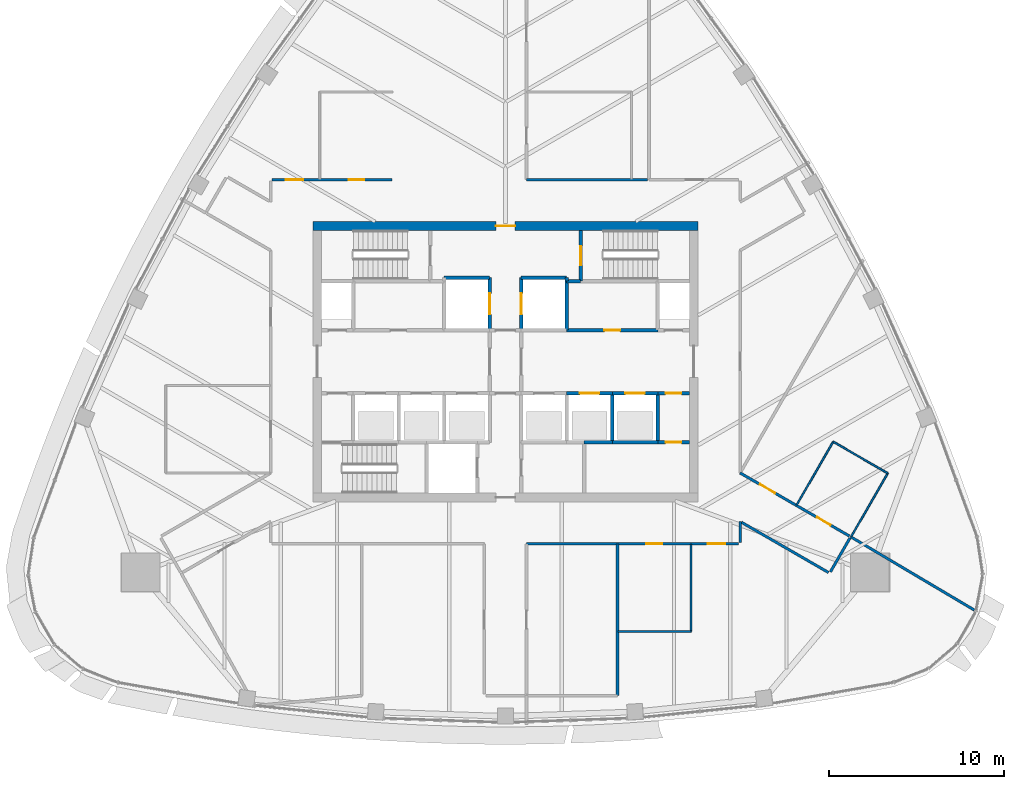
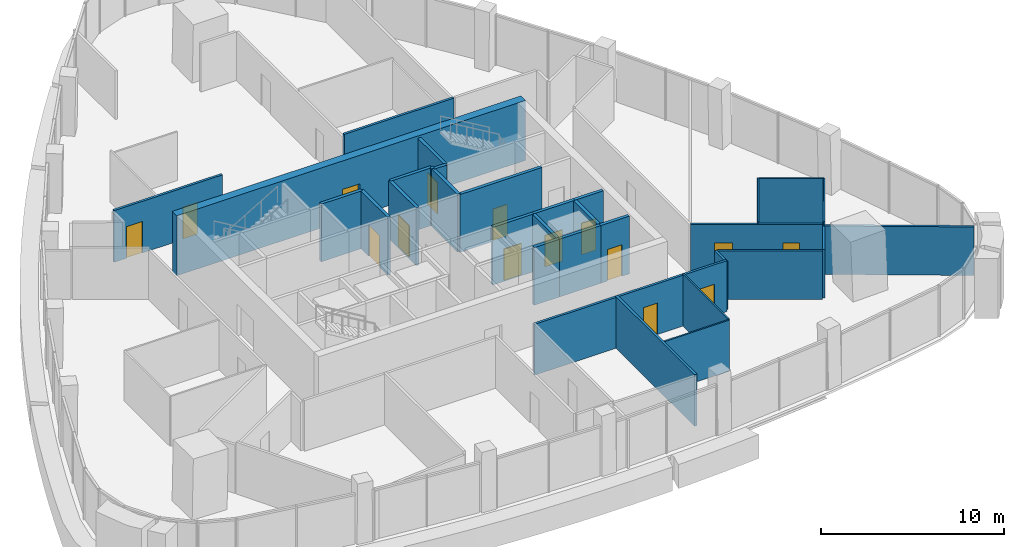
# One storey, part 10 of 15: 32 walls, 15 doors, 15 openings.
"""IFC4 building model written with IfcOpenShell, lengths in metres."""

import ifcopenshell
import ifcopenshell.guid

model = None  # the IFC model being written
_history = None  # IfcOwnerHistory: only IFC2X3 demands one
_inside = {}  # id of a spatial element -> (the spatial element, [elements in it])
_under = {}  # id of a project, library or spatial element -> (it, [spatial elements below it])
_declared = {}  # id of a project -> (the project, [libraries it declares])
_typed = {}  # id of a type object -> (the type object, [elements of that type])
_made_of = {}  # id of a material, layer set ... -> (it, [elements and type objects made of it])


def new_model(schema):
    """Start an empty IFC model of exactly this schema.

    Asked for "IFC4X3", IfcOpenShell would pick the latest addendum, in which some entities
    have other attributes; the version numbers below select the first issue.
    IFC2X3 requires an IfcOwnerHistory on every rooted entity: one is made here for all.
    """
    global model, _history
    if schema == "IFC4X3":
        model = ifcopenshell.file(schema_version=(4, 3, 0, 0))
    else:
        model = ifcopenshell.file(schema=schema)
    _inside.clear()
    _under.clear()
    _declared.clear()
    _typed.clear()
    _made_of.clear()
    _history = None
    if model.schema == "IFC2X3":
        org = make("IfcOrganization", Name="unknown")
        user = make(
            "IfcPersonAndOrganization",
            ThePerson=make("IfcPerson", FamilyName="unknown"),
            TheOrganization=org,
        )
        app = make(
            "IfcApplication",
            ApplicationDeveloper=org,
            Version="unknown",
            ApplicationFullName="unknown",
            ApplicationIdentifier="unknown",
        )
        _history = make(
            "IfcOwnerHistory",
            OwningUser=user,
            OwningApplication=app,
            ChangeAction="ADDED",
            CreationDate=0,
        )
    return model


def make(cls, **values):
    """One entity of the class cls with the attributes given. An attribute that is None is left unset."""
    return model.create_entity(
        cls, **{name: value for name, value in values.items() if value is not None}
    )


def rooted(cls, **values):
    """An entity with a GlobalId (a new one), such as an element, a storey or a relation."""
    return make(cls, GlobalId=ifcopenshell.guid.new(), OwnerHistory=_history, **values)


def si_unit(unit_type, name, prefix=None):
    """IfcSIUnit, for example si_unit("LENGTHUNIT", "METRE", prefix="MILLI")."""
    return make("IfcSIUnit", UnitType=unit_type, Prefix=prefix, Name=name)


def assignment(units):
    """IfcUnitAssignment: the units of a project."""
    return None if units is None else make("IfcUnitAssignment", Units=units)


def point(xyz):
    """IfcCartesianPoint."""
    return None if xyz is None else make("IfcCartesianPoint", Coordinates=xyz)


def direction(xyz):
    """IfcDirection."""
    return None if xyz is None else make("IfcDirection", DirectionRatios=xyz)


def frame(location, z_axis=None, x_axis=None):
    """IfcAxis2Placement3D, a coordinate frame: its origin and axes. An axis left out is left unset."""
    return make(
        "IfcAxis2Placement3D",
        Location=point(location),
        Axis=direction(z_axis),
        RefDirection=direction(x_axis),
    )


def frame_2d(location, x_axis=None):
    """IfcAxis2Placement2D, a coordinate frame in the plane: its origin and x axis."""
    return make(
        "IfcAxis2Placement2D", Location=point(location), RefDirection=direction(x_axis)
    )


def origin():
    """The frame at (0, 0, 0) with its axes left unset."""
    return frame((0.0, 0.0, 0.0))


def place(relative_to, where):
    """IfcLocalPlacement: puts the frame where relative to a parent placement (None: the world)."""
    return make(
        "IfcLocalPlacement", PlacementRelTo=relative_to, RelativePlacement=where
    )


def context(
    kind, dimensions, precision=None, world=None, true_north=None, identifier=None
):
    """IfcGeometricRepresentationContext, for example the 3D "Model" context."""
    return make(
        "IfcGeometricRepresentationContext",
        ContextIdentifier=identifier,
        ContextType=kind,
        CoordinateSpaceDimension=dimensions,
        Precision=precision,
        WorldCoordinateSystem=world,
        TrueNorth=true_north,
    )


def subcontext(parent, identifier, kind, view, scale=None):
    """IfcGeometricRepresentationSubContext, for example "Body" below "Model"."""
    return make(
        "IfcGeometricRepresentationSubContext",
        ContextIdentifier=identifier,
        ContextType=kind,
        ParentContext=parent,
        TargetScale=scale,
        TargetView=view,
    )


def project(units=None, contexts=None):
    """IfcProject with its units and contexts."""
    return rooted(
        "IfcProject",
        Name="project",
        RepresentationContexts=contexts,
        UnitsInContext=assignment(units),
    )


def spatial(cls, under=None, at=None, **own):
    """A site, building, storey or space (cls), placed at a placement, below another one or the project."""
    s = rooted(cls, ObjectPlacement=at, **own)
    if under is not None:
        _under.setdefault(under.id(), (under, []))[1].append(s)
    return s


def profile(cls, at=None, kind="AREA", **sizes):
    """A parametric profile (cls). Its sizes go by their IFC names, for example OverallWidth=200.0."""
    return make(cls, ProfileType=kind, Position=at, **sizes)


def rectangle(**sizes):
    """IfcRectangleProfileDef."""
    return profile("IfcRectangleProfileDef", **sizes)


def extrude(swept, where, along, depth):
    """IfcExtrudedAreaSolid: the profile swept, set in the frame where, extruded along a direction by depth."""
    return make(
        "IfcExtrudedAreaSolid",
        SweptArea=swept,
        Position=where,
        ExtrudedDirection=direction(along),
        Depth=depth,
    )


def shape(context_of_items, identifier, shape_type, items):
    """IfcShapeRepresentation: the items that make up one representation, for example the "Body"."""
    return make(
        "IfcShapeRepresentation",
        ContextOfItems=context_of_items,
        RepresentationIdentifier=identifier,
        RepresentationType=shape_type,
        Items=items,
    )


def material(Name=None, Category=None):
    """IfcMaterial."""
    return make("IfcMaterial", Name=Name, Category=Category)


def layer(
    of_material, thickness, ventilated=None, Name=None, Category=None, Priority=None
):
    """IfcMaterialLayer: one layer of a wall or slab, of a material (None: an air gap)."""
    return make(
        "IfcMaterialLayer",
        Material=of_material,
        LayerThickness=thickness,
        IsVentilated=ventilated,
        Name=Name,
        Category=Category,
        Priority=Priority,
    )


def layer_set(layers, Name=None):
    """IfcMaterialLayerSet."""
    return make("IfcMaterialLayerSet", MaterialLayers=layers, LayerSetName=Name)


def made_of(thing, what):
    """Note that an element or type object is made of a material, layer set ...; save() writes the relation."""
    if what is not None:
        _made_of.setdefault(what.id(), (what, []))[1].append(thing)
    return thing


def type_object(cls, material=None, **own):
    """A type object (cls), such as IfcWallType, which elements share."""
    return made_of(rooted(cls, **own), material)


def element(
    cls,
    number,
    at=None,
    inside=None,
    cuts=None,
    type_object=None,
    material=None,
    context=None,
    identifier="Body",
    shape_type=None,
    held_by="IfcProductDefinitionShape",
    body=None,
    shapes=None,
    **own,
):
    """One element of the class cls, such as IfcWall. Its Tag is "e" and its number.

    at: its placement. inside: the storey or other place that contains it. cuts: it is an
    opening in that element (IfcRelVoidsElement). A single representation is given by context,
    identifier, shape_type and body (its items); several are given by shapes. held_by: the class
    of the entity that holds the representations. save() writes the other relations.
    """
    e = rooted(cls, Tag="e%d" % number, ObjectPlacement=at, **own)
    if body is not None:
        shapes = [shape(context, identifier, shape_type, body)]
    if shapes is not None:
        e.Representation = make(held_by, Representations=shapes)
    if inside is not None:
        _inside.setdefault(inside.id(), (inside, []))[1].append(e)
    if cuts is not None:
        rooted(
            "IfcRelVoidsElement", RelatingBuildingElement=cuts, RelatedOpeningElement=e
        )
    if type_object is not None:
        _typed.setdefault(type_object.id(), (type_object, []))[1].append(e)
    return made_of(e, material)


def fill(opening, filler):
    """IfcRelFillsElement: the door or window that sits in an opening."""
    return rooted(
        "IfcRelFillsElement",
        RelatingOpeningElement=opening,
        RelatedBuildingElement=filler,
    )


def aggregate(whole, parts):
    """IfcRelAggregates: a whole, such as a stair, and the parts it consists of."""
    return rooted("IfcRelAggregates", RelatingObject=whole, RelatedObjects=parts)


def save(model, path):
    """Write the relations noted so far, then the file.

    IfcRelAggregates (storeys below a building ...), IfcRelContainedInSpatialStructure (elements
    in a storey), IfcRelDefinesByType, IfcRelAssociatesMaterial and IfcRelDeclares: one each for
    every whole, place, type object, material and project.
    """
    for whole, parts in _under.values():
        aggregate(whole, parts)
    for where, things in _inside.values():
        rooted(
            "IfcRelContainedInSpatialStructure",
            RelatedElements=things,
            RelatingStructure=where,
        )
    for kind, things in _typed.values():
        rooted("IfcRelDefinesByType", RelatedObjects=things, RelatingType=kind)
    for what, things in _made_of.values():
        rooted("IfcRelAssociatesMaterial", RelatedObjects=things, RelatingMaterial=what)
    for by, libraries in _declared.values():
        rooted("IfcRelDeclares", RelatingContext=by, RelatedDefinitions=libraries)
    model.write(path)


model = new_model("IFC4")

# Units and contexts
model_context = context("Model", 3, precision=1e-05, world=origin(), true_north=direction((0.0, 1.0)))
body_context = subcontext(model_context, "Body", "Model", "MODEL_VIEW")
ifc_project = project(units=[si_unit("LENGTHUNIT", "METRE"), si_unit("AREAUNIT", "SQUARE_METRE"), si_unit("VOLUMEUNIT", "CUBIC_METRE"), si_unit("PLANEANGLEUNIT", "RADIAN"), si_unit("MASSUNIT", "GRAM", prefix="KILO")], contexts=[model_context])

# Site, building, storey
site_placement = place(None, origin())
site = spatial("IfcSite", under=ifc_project, at=site_placement, CompositionType="ELEMENT")
building_placement = place(site_placement, origin())
building = spatial("IfcBuilding", under=site, at=building_placement, Name="Sierra Prisma Convention Tower", CompositionType="ELEMENT")
storey_placement = place(building_placement, frame((0.0, 0.0, 283.0)))
storey = spatial("IfcBuildingStorey", under=building, at=storey_placement, Name="L64", CompositionType="ELEMENT", Elevation=283.0)

# Walls
ifc_material_1 = material(Name="Gypsum board partition", Category="gypsum")
ifc_layer_1 = layer(ifc_material_1, 0.10009765625)
ifc_layer_set_1 = layer_set([ifc_layer_1], Name="Bathroom partition 100")
wall_type_1 = type_object("IfcWallType", Name="Bathroom partition 100", PredefinedType="PARTITIONING", material=ifc_layer_set_1)
wall_1_placement = place(storey_placement, frame((10.60009765625, -10.429931640625, 0.0), z_axis=(0.0, 0.0, 1.0), x_axis=(0.0, -1.0, 0.0)))
element("IfcWall", 1, at=wall_1_placement, inside=storey, type_object=wall_type_1, Name="Partition L64 bath 8", PredefinedType="PARTITIONING", context=body_context, shape_type="SweptSolid", body=[
    extrude(rectangle(XDim=4.969970703125, YDim=0.10009765625, at=frame_2d((2.48486328125, 0.0))), origin(), (0.0, 0.0, 1.0), 3.449951171875),
])
wall_2_placement = place(storey_placement, frame((10.60009765625, -15.39990234375, 0.0), z_axis=(0.0, 0.0, 1.0), x_axis=(-1.0, 0.0, 0.0)))
element("IfcWall", 2, at=wall_2_placement, inside=storey, type_object=wall_type_1, Name="Partition L64 bath 9", PredefinedType="PARTITIONING", context=body_context, shape_type="SweptSolid", body=[
    extrude(rectangle(XDim=4.170166015625, YDim=0.10009765625, at=frame_2d((2.0849609375, 0.0))), origin(), (0.0, 0.0, 1.0), 3.39306640625),
])
wall_3_placement = place(storey_placement, frame((16.626953125, -8.17919921875, 0.0), z_axis=(0.0, 0.0, 1.0), x_axis=(0.499992746786, 0.866029591389, 0.0)))
element("IfcWall", 3, at=wall_3_placement, inside=storey, type_object=wall_type_1, Name="Partition L64 bath 10", PredefinedType="PARTITIONING", context=body_context, shape_type="SweptSolid", body=[
    extrude(rectangle(XDim=4.169921875, YDim=0.10009765625, at=frame_2d((2.0849609375, 0.0))), origin(), (0.0, 0.0, 1.0), 3.449951171875),
])
wall_4_placement = place(storey_placement, frame((18.7119140625, -4.56787109375, 0.0), z_axis=(0.0, 0.0, 1.0), x_axis=(0.866018442252, -0.500012057535, 0.0)))
element("IfcWall", 4, at=wall_4_placement, inside=storey, type_object=wall_type_1, Name="Partition L64 bath 11", PredefinedType="PARTITIONING", context=body_context, shape_type="SweptSolid", body=[
    extrude(rectangle(XDim=3.60009765625, YDim=0.10009765625, at=frame_2d((1.800048828125, 0.0))), origin(), (0.0, 0.0, 1.0), 3.443115234375),
])
wall_5_placement = place(storey_placement, frame((21.82958984375, -6.367919921875, 0.0), z_axis=(0.0, 0.0, 1.0), x_axis=(-0.499992746786, -0.866029591389, 0.0)))
element("IfcWall", 5, at=wall_5_placement, inside=storey, type_object=wall_type_1, Name="Partition L64 bath 12", PredefinedType="PARTITIONING", context=body_context, shape_type="SweptSolid", body=[
    extrude(rectangle(XDim=4.169921875, YDim=0.10009765625, at=frame_2d((2.0849609375, 0.0))), origin(), (0.0, 0.0, 1.0), 3.449951171875),
])

# Wall, opening, door
ifc_material_2 = material(Name="Concrete C30/37", Category="concrete")
ifc_layer_2 = layer(ifc_material_2, 0.199951171875)
ifc_layer_set_2 = layer_set([ifc_layer_2], Name="Core wall RC 200 C30/37")
wall_type_2 = type_object("IfcWallType", Name="Core wall RC 200 C30/37", PredefinedType="SOLIDWALL", material=ifc_layer_set_2)
wall_6_placement = place(storey_placement, frame((-0.89990234375, 1.800048828125, 0.0), z_axis=(0.0, 0.0, 1.0), x_axis=(0.0, 1.0, 0.0)))
wall_6 = element("IfcWall", 6, at=wall_6_placement, inside=storey, type_object=wall_type_2, Name="Core wall L64 23", PredefinedType="SOLIDWALL", context=body_context, shape_type="SweptSolid", body=[
    extrude(rectangle(XDim=3.0, YDim=0.199951171875, at=frame_2d((1.5, 0.0))), origin(), (0.0, 0.0, 1.0), 3.85009765625),
])
opening_1_placement = place(wall_6_placement, frame((0.89990234375, 0.0, 0.0)))
opening_1 = element("IfcOpeningElement", 7, at=opening_1_placement, cuts=wall_6, Name="Opening L64-D007", PredefinedType="OPENING", context=body_context, shape_type="SweptSolid", body=[
    extrude(rectangle(XDim=1.199951171875, YDim=2.10009765625, at=frame_2d((0.60009765625, 1.050048828125))), frame((0.0, 0.10009765625, 0.0), z_axis=(0.0, -1.0, 0.0), x_axis=(1.0, 0.0, 0.0)), (0.0, 0.0, 1.0), 0.199951171875),
])
ifc_material_3 = material(Name="Steel fire door leaf", Category="steel")
door_type_1 = type_object("IfcDoorType", Name="Door 1200x2100 EI 90 sliding lift landing", OperationType="SLIDING_TO_LEFT", PredefinedType="DOOR", material=ifc_material_3)
door_1_placement = place(opening_1_placement, origin())
door_1 = element("IfcDoor", 8, at=door_1_placement, inside=storey, type_object=door_type_1, Name="Door L64 22", OperationType="SLIDING_TO_LEFT", OverallHeight=2.10009765625, OverallWidth=1.199951171875, PredefinedType="DOOR", context=body_context, shape_type="SweptSolid", body=[
    extrude(rectangle(XDim=1.199951171875, YDim=2.10009765625, at=frame_2d((0.60009765625, 1.050048828125))), frame((0.0, 0.02490234375, 0.0), z_axis=(0.0, -1.0, 0.0), x_axis=(1.0, 0.0, 0.0)), (0.0, 0.0, 1.0), 0.050048828125),
])
fill(opening_1, door_1)

# Walls
wall_7_placement = place(storey_placement, frame((-0.89990234375, 4.800048828125, 0.0), z_axis=(0.0, 0.0, 1.0), x_axis=(-1.0, 0.0, 0.0)))
element("IfcWall", 9, at=wall_7_placement, inside=storey, type_object=wall_type_2, Name="Core wall L64 24", PredefinedType="SOLIDWALL", context=body_context, shape_type="SweptSolid", body=[
    extrude(rectangle(XDim=2.60009765625, YDim=0.199951171875, at=frame_2d((1.300048828125, 0.0))), origin(), (0.0, 0.0, 1.0), 3.85009765625),
])
wall_8_placement = place(storey_placement, frame((3.5, 4.60009765625, 0.0), z_axis=(0.0, 0.0, 1.0), x_axis=(0.0, 1.0, 0.0)))
element("IfcWall", 10, at=wall_8_placement, inside=storey, type_object=wall_type_2, Name="Core wall L64 38", PredefinedType="SOLIDWALL", context=body_context, shape_type="SweptSolid", body=[
    extrude(rectangle(XDim=0.199951171875, YDim=0.199951171875, at=frame_2d((0.10009765625, 0.0))), origin(), (0.0, 0.0, 1.0), 3.85009765625),
])
wall_9_placement = place(storey_placement, frame((3.5, 4.800048828125, 0.0), z_axis=(0.0, 0.0, 1.0), x_axis=(-1.0, 0.0, 0.0)))
element("IfcWall", 11, at=wall_9_placement, inside=storey, type_object=wall_type_2, Name="Core wall L64 39", PredefinedType="SOLIDWALL", context=body_context, shape_type="SweptSolid", body=[
    extrude(rectangle(XDim=2.60009765625, YDim=0.199951171875, at=frame_2d((1.300048828125, 0.0))), origin(), (0.0, 0.0, 1.0), 3.85009765625),
])

# Wall, opening, door
wall_10_placement = place(storey_placement, frame((0.89990234375, 4.800048828125, 0.0), z_axis=(0.0, 0.0, 1.0), x_axis=(0.0, -1.0, 0.0)))
wall_10 = element("IfcWall", 12, at=wall_10_placement, inside=storey, type_object=wall_type_2, Name="Core wall L64 40", PredefinedType="SOLIDWALL", context=body_context, shape_type="SweptSolid", body=[
    extrude(rectangle(XDim=3.0, YDim=0.199951171875, at=frame_2d((1.5, 0.0))), origin(), (0.0, 0.0, 1.0), 3.85009765625),
])
opening_2_placement = place(wall_10_placement, frame((0.89990234375, 0.0, 0.0)))
opening_2 = element("IfcOpeningElement", 13, at=opening_2_placement, cuts=wall_10, Name="Opening L64-D008", PredefinedType="OPENING", context=body_context, shape_type="SweptSolid", body=[
    extrude(rectangle(XDim=1.199951171875, YDim=2.10009765625, at=frame_2d((0.60009765625, 1.050048828125))), frame((0.0, 0.10009765625, 0.0), z_axis=(0.0, -1.0, 0.0), x_axis=(1.0, 0.0, 0.0)), (0.0, 0.0, 1.0), 0.199951171875),
])
door_2_placement = place(opening_2_placement, origin())
door_2 = element("IfcDoor", 14, at=door_2_placement, inside=storey, type_object=door_type_1, Name="Door L64 23", OperationType="SLIDING_TO_RIGHT", OverallHeight=2.10009765625, OverallWidth=1.199951171875, PredefinedType="DOOR", context=body_context, shape_type="SweptSolid", body=[
    extrude(rectangle(XDim=1.199951171875, YDim=2.10009765625, at=frame_2d((0.60009765625, 1.050048828125))), frame((0.0, 0.02490234375, 0.0), z_axis=(0.0, -1.0, 0.0), x_axis=(1.0, 0.0, 0.0)), (0.0, 0.0, 1.0), 0.050048828125),
])
fill(opening_2, door_2)

wall_11_placement = place(storey_placement, frame((3.5, -1.800048828125, 0.0), z_axis=(0.0, 0.0, 1.0), x_axis=(1.0, 0.0, 0.0)))
wall_11 = element("IfcWall", 15, at=wall_11_placement, inside=storey, type_object=wall_type_2, Name="Core wall L64 43", PredefinedType="SOLIDWALL", context=body_context, shape_type="SweptSolid", body=[
    extrude(rectangle(XDim=2.60009765625, YDim=0.199951171875, at=frame_2d((1.300048828125, 0.0))), origin(), (0.0, 0.0, 1.0), 3.85009765625),
])
opening_3_placement = place(wall_11_placement, frame((0.75, 0.0, 0.0)))
opening_3 = element("IfcOpeningElement", 16, at=opening_3_placement, cuts=wall_11, Name="Opening L64-D005", PredefinedType="OPENING", context=body_context, shape_type="SweptSolid", body=[
    extrude(rectangle(XDim=1.10009765625, YDim=2.10009765625, at=frame_2d((0.550048828125, 1.050048828125))), frame((0.0, 0.10009765625, 0.0), z_axis=(0.0, -1.0, 0.0), x_axis=(1.0, 0.0, 0.0)), (0.0, 0.0, 1.0), 0.199951171875),
])
ifc_material_4 = material(Name="Steel fire door leaf", Category="steel")
door_type_2 = type_object("IfcDoorType", Name="Door 1100x2100 EI 90 sliding lift landing", OperationType="SLIDING_TO_LEFT", PredefinedType="DOOR", material=ifc_material_4)
door_3_placement = place(opening_3_placement, origin())
door_3 = element("IfcDoor", 17, at=door_3_placement, inside=storey, type_object=door_type_2, Name="Door L64 20", OperationType="SLIDING_TO_RIGHT", OverallHeight=2.10009765625, OverallWidth=1.10009765625, PredefinedType="DOOR", context=body_context, shape_type="SweptSolid", body=[
    extrude(rectangle(XDim=1.10009765625, YDim=2.10009765625, at=frame_2d((0.550048828125, 1.050048828125))), frame((0.0, 0.02490234375, 0.0), z_axis=(0.0, -1.0, 0.0), x_axis=(1.0, 0.0, 0.0)), (0.0, 0.0, 1.0), 0.050048828125),
])
fill(opening_3, door_3)

wall_12_placement = place(storey_placement, frame((3.5, 1.800048828125, 0.0), z_axis=(0.0, 0.0, 1.0), x_axis=(1.0, 0.0, 0.0)))
wall_12 = element("IfcWall", 18, at=wall_12_placement, inside=storey, type_object=wall_type_2, Name="Core wall L64 44", PredefinedType="SOLIDWALL", context=body_context, shape_type="SweptSolid", body=[
    extrude(rectangle(XDim=5.199951171875, YDim=0.199951171875, at=frame_2d((2.60009765625, 0.0))), origin(), (0.0, 0.0, 1.0), 3.85009765625),
])
opening_4_placement = place(wall_12_placement, frame((2.14990234375, 0.0, 0.0)))
opening_4 = element("IfcOpeningElement", 19, at=opening_4_placement, cuts=wall_12, Name="Opening L64-D020", PredefinedType="OPENING", context=body_context, shape_type="SweptSolid", body=[
    extrude(rectangle(XDim=0.89990234375, YDim=2.10009765625, at=frame_2d((0.449951171875, 1.050048828125))), frame((0.0, 0.10009765625, 0.0), z_axis=(0.0, -1.0, 0.0), x_axis=(1.0, 0.0, 0.0)), (0.0, 0.0, 1.0), 0.199951171875),
])
ifc_material_5 = material(Name="Steel fire door leaf", Category="steel")
door_type_3 = type_object("IfcDoorType", Name="Door 900x2100 FD30S", OperationType="SINGLE_SWING_LEFT", PredefinedType="DOOR", material=ifc_material_5)
door_4_placement = place(opening_4_placement, origin())
door_4 = element("IfcDoor", 20, at=door_4_placement, inside=storey, type_object=door_type_3, Name="Door L64 35", OperationType="SINGLE_SWING_RIGHT", OverallHeight=2.10009765625, OverallWidth=0.89990234375, PredefinedType="DOOR", context=body_context, shape_type="SweptSolid", body=[
    extrude(rectangle(XDim=0.89990234375, YDim=2.10009765625, at=frame_2d((0.449951171875, 1.050048828125))), frame((0.0, 0.02490234375, 0.0), z_axis=(0.0, -1.0, 0.0), x_axis=(1.0, 0.0, 0.0)), (0.0, 0.0, 1.0), 0.050048828125),
])
fill(opening_4, door_4)

# Walls
wall_13_placement = place(storey_placement, frame((3.5, 4.60009765625, 0.0), z_axis=(0.0, 0.0, 1.0), x_axis=(0.0, -1.0, 0.0)))
element("IfcWall", 21, at=wall_13_placement, inside=storey, type_object=wall_type_2, Name="Core wall L64 45", PredefinedType="SOLIDWALL", context=body_context, shape_type="SweptSolid", body=[
    extrude(rectangle(XDim=2.800048828125, YDim=0.199951171875, at=frame_2d((1.39990234375, 0.0))), origin(), (0.0, 0.0, 1.0), 3.85009765625),
])
wall_14_placement = place(storey_placement, frame((4.300048828125, 4.60009765625, 0.0), z_axis=(0.0, 0.0, 1.0), x_axis=(-1.0, 0.0, 0.0)))
element("IfcWall", 22, at=wall_14_placement, inside=storey, type_object=wall_type_2, Name="Core wall L64 46", PredefinedType="SOLIDWALL", context=body_context, shape_type="SweptSolid", body=[
    extrude(rectangle(XDim=0.800048828125, YDim=0.199951171875, at=frame_2d((0.39990234375, 0.0))), origin(), (0.0, 0.0, 1.0), 3.85009765625),
])

# Wall, opening, door
wall_15_placement = place(storey_placement, frame((4.300048828125, 7.5, 0.0), z_axis=(0.0, 0.0, 1.0), x_axis=(0.0, -1.0, 0.0)))
wall_15 = element("IfcWall", 23, at=wall_15_placement, inside=storey, type_object=wall_type_2, Name="Core wall L64 48", PredefinedType="SOLIDWALL", context=body_context, shape_type="SweptSolid", body=[
    extrude(rectangle(XDim=2.89990234375, YDim=0.199951171875, at=frame_2d((1.449951171875, 0.0))), origin(), (0.0, 0.0, 1.0), 3.85009765625),
])
opening_5_placement = place(wall_15_placement, frame((0.89990234375, 0.0, 0.0)))
opening_5 = element("IfcOpeningElement", 24, at=opening_5_placement, cuts=wall_15, Name="Opening L64-D019", PredefinedType="OPENING", context=body_context, shape_type="SweptSolid", body=[
    extrude(rectangle(XDim=1.10009765625, YDim=2.10009765625, at=frame_2d((0.550048828125, 1.050048828125))), frame((0.0, 0.10009765625, 0.0), z_axis=(0.0, -1.0, 0.0), x_axis=(1.0, 0.0, 0.0)), (0.0, 0.0, 1.0), 0.199951171875),
])
ifc_material_6 = material(Name="Steel fire door leaf", Category="steel")
door_type_4 = type_object("IfcDoorType", Name="Door 1100x2100 FD90S", OperationType="SINGLE_SWING_LEFT", PredefinedType="DOOR", material=ifc_material_6)
door_5_placement = place(opening_5_placement, origin())
door_5 = element("IfcDoor", 25, at=door_5_placement, inside=storey, type_object=door_type_4, Name="Door L64 34", OperationType="SINGLE_SWING_LEFT", OverallHeight=2.10009765625, OverallWidth=1.10009765625, PredefinedType="DOOR", context=body_context, shape_type="SweptSolid", body=[
    extrude(rectangle(XDim=1.10009765625, YDim=2.10009765625, at=frame_2d((0.550048828125, 1.050048828125))), frame((0.0, 0.02490234375, 0.0), z_axis=(0.0, -1.0, 0.0), x_axis=(1.0, 0.0, 0.0)), (0.0, 0.0, 1.0), 0.050048828125),
])
fill(opening_5, door_5)

# Walls
wall_16_placement = place(storey_placement, frame((6.10009765625, -4.60009765625, 0.0), z_axis=(0.0, 0.0, 1.0), x_axis=(-1.0, 0.0, 0.0)))
element("IfcWall", 26, at=wall_16_placement, inside=storey, type_object=wall_type_2, Name="Core wall L64 50", PredefinedType="SOLIDWALL", context=body_context, shape_type="SweptSolid", body=[
    extrude(rectangle(XDim=1.60009765625, YDim=0.199951171875, at=frame_2d((0.800048828125, 0.0))), origin(), (0.0, 0.0, 1.0), 3.85009765625),
])
wall_17_placement = place(storey_placement, frame((8.699951171875, -4.60009765625, 0.0), z_axis=(0.0, 0.0, 1.0), x_axis=(-1.0, 0.0, 0.0)))
element("IfcWall", 27, at=wall_17_placement, inside=storey, type_object=wall_type_2, Name="Core wall L64 51", PredefinedType="SOLIDWALL", context=body_context, shape_type="SweptSolid", body=[
    extrude(rectangle(XDim=2.599853515625, YDim=0.199951171875, at=frame_2d((1.2998046875, 0.0))), origin(), (0.0, 0.0, 1.0), 3.85009765625),
])
wall_18_placement = place(storey_placement, frame((6.10009765625, -4.60009765625, 0.0), z_axis=(0.0, 0.0, 1.0), x_axis=(0.0, 1.0, 0.0)))
element("IfcWall", 28, at=wall_18_placement, inside=storey, type_object=wall_type_2, Name="Core wall L64 52", PredefinedType="SOLIDWALL", context=body_context, shape_type="SweptSolid", body=[
    extrude(rectangle(XDim=2.800048828125, YDim=0.199951171875, at=frame_2d((1.39990234375, 0.0))), origin(), (0.0, 0.0, 1.0), 3.85009765625),
])

# Wall, opening, door
wall_19_placement = place(storey_placement, frame((6.10009765625, -1.800048828125, 0.0), z_axis=(0.0, 0.0, 1.0), x_axis=(1.0, 0.0, 0.0)))
wall_19 = element("IfcWall", 29, at=wall_19_placement, inside=storey, type_object=wall_type_2, Name="Core wall L64 53", PredefinedType="SOLIDWALL", context=body_context, shape_type="SweptSolid", body=[
    extrude(rectangle(XDim=2.599853515625, YDim=0.199951171875, at=frame_2d((1.2998046875, 0.0))), origin(), (0.0, 0.0, 1.0), 3.85009765625),
])
opening_6_placement = place(wall_19_placement, frame((0.75, 0.0, 0.0)))
opening_6 = element("IfcOpeningElement", 30, at=opening_6_placement, cuts=wall_19, Name="Opening L64-D006", PredefinedType="OPENING", context=body_context, shape_type="SweptSolid", body=[
    extrude(rectangle(XDim=1.10009765625, YDim=2.10009765625, at=frame_2d((0.550048828125, 1.050048828125))), frame((0.0, 0.10009765625, 0.0), z_axis=(0.0, -1.0, 0.0), x_axis=(1.0, 0.0, 0.0)), (0.0, 0.0, 1.0), 0.199951171875),
])
door_6_placement = place(opening_6_placement, origin())
door_6 = element("IfcDoor", 31, at=door_6_placement, inside=storey, type_object=door_type_2, Name="Door L64 21", OperationType="SLIDING_TO_RIGHT", OverallHeight=2.10009765625, OverallWidth=1.10009765625, PredefinedType="DOOR", context=body_context, shape_type="SweptSolid", body=[
    extrude(rectangle(XDim=1.10009765625, YDim=2.10009765625, at=frame_2d((0.550048828125, 1.050048828125))), frame((0.0, 0.02490234375, 0.0), z_axis=(0.0, -1.0, 0.0), x_axis=(1.0, 0.0, 0.0)), (0.0, 0.0, 1.0), 0.050048828125),
])
fill(opening_6, door_6)

wall_20_placement = place(storey_placement, frame((10.5, -4.60009765625, 0.0), z_axis=(0.0, 0.0, 1.0), x_axis=(-1.0, 0.0, 0.0)))
wall_20 = element("IfcWall", 32, at=wall_20_placement, inside=storey, type_object=wall_type_2, Name="Core wall L64 54", PredefinedType="SOLIDWALL", context=body_context, shape_type="SweptSolid", body=[
    extrude(rectangle(XDim=1.800048828125, YDim=0.199951171875, at=frame_2d((0.89990234375, 0.0))), origin(), (0.0, 0.0, 1.0), 3.85009765625),
])
opening_7_placement = place(wall_20_placement, frame((0.4599609375, 0.0, 0.0)))
opening_7 = element("IfcOpeningElement", 33, at=opening_7_placement, cuts=wall_20, Name="Opening L64-D022", PredefinedType="OPENING", context=body_context, shape_type="SweptSolid", body=[
    extrude(rectangle(XDim=0.89990234375, YDim=2.10009765625, at=frame_2d((0.449951171875, 1.050048828125))), frame((0.0, 0.10009765625, 0.0), z_axis=(0.0, -1.0, 0.0), x_axis=(1.0, 0.0, 0.0)), (0.0, 0.0, 1.0), 0.199951171875),
])
door_7_placement = place(opening_7_placement, origin())
door_7 = element("IfcDoor", 34, at=door_7_placement, inside=storey, type_object=door_type_3, Name="Door L64 37", OperationType="SINGLE_SWING_LEFT", OverallHeight=2.10009765625, OverallWidth=0.89990234375, PredefinedType="DOOR", context=body_context, shape_type="SweptSolid", body=[
    extrude(rectangle(XDim=0.89990234375, YDim=2.10009765625, at=frame_2d((0.449951171875, 1.050048828125))), frame((0.0, 0.02490234375, 0.0), z_axis=(0.0, -1.0, 0.0), x_axis=(1.0, 0.0, 0.0)), (0.0, 0.0, 1.0), 0.050048828125),
])
fill(opening_7, door_7)

# Wall
wall_21_placement = place(storey_placement, frame((8.699951171875, -1.800048828125, 0.0), z_axis=(0.0, 0.0, 1.0), x_axis=(0.0, -1.0, 0.0)))
element("IfcWall", 35, at=wall_21_placement, inside=storey, type_object=wall_type_2, Name="Core wall L64 55", PredefinedType="SOLIDWALL", context=body_context, shape_type="SweptSolid", body=[
    extrude(rectangle(XDim=2.800048828125, YDim=0.199951171875, at=frame_2d((1.39990234375, 0.0))), origin(), (0.0, 0.0, 1.0), 3.85009765625),
])

# Wall, opening, door
wall_22_placement = place(storey_placement, frame((8.699951171875, -1.800048828125, 0.0), z_axis=(0.0, 0.0, 1.0), x_axis=(1.0, 0.0, 0.0)))
wall_22 = element("IfcWall", 36, at=wall_22_placement, inside=storey, type_object=wall_type_2, Name="Core wall L64 56", PredefinedType="SOLIDWALL", context=body_context, shape_type="SweptSolid", body=[
    extrude(rectangle(XDim=1.800048828125, YDim=0.199951171875, at=frame_2d((0.89990234375, 0.0))), origin(), (0.0, 0.0, 1.0), 3.85009765625),
])
opening_8_placement = place(wall_22_placement, frame((0.449951171875, 0.0, 0.0)))
opening_8 = element("IfcOpeningElement", 37, at=opening_8_placement, cuts=wall_22, Name="Opening L64-D023", PredefinedType="OPENING", context=body_context, shape_type="SweptSolid", body=[
    extrude(rectangle(XDim=0.89990234375, YDim=2.10009765625, at=frame_2d((0.449951171875, 1.050048828125))), frame((0.0, 0.10009765625, 0.0), z_axis=(0.0, -1.0, 0.0), x_axis=(1.0, 0.0, 0.0)), (0.0, 0.0, 1.0), 0.199951171875),
])
door_8_placement = place(opening_8_placement, origin())
door_8 = element("IfcDoor", 38, at=door_8_placement, inside=storey, type_object=door_type_3, Name="Door L64 38", OperationType="SINGLE_SWING_LEFT", OverallHeight=2.10009765625, OverallWidth=0.89990234375, PredefinedType="DOOR", context=body_context, shape_type="SweptSolid", body=[
    extrude(rectangle(XDim=0.89990234375, YDim=2.10009765625, at=frame_2d((0.449951171875, 1.050048828125))), frame((0.0, 0.02490234375, 0.0), z_axis=(0.0, -1.0, 0.0), x_axis=(1.0, 0.0, 0.0)), (0.0, 0.0, 1.0), 0.050048828125),
])
fill(opening_8, door_8)

ifc_material_7 = material(Name="Concrete C50/60", Category="concrete")
ifc_layer_3 = layer(ifc_material_7, 0.5)
ifc_layer_set_3 = layer_set([ifc_layer_3], Name="Core wall RC 500 C50/60")
wall_type_3 = type_object("IfcWallType", Name="Core wall RC 500 C50/60", PredefinedType="SHEAR", material=ifc_layer_set_3)
wall_23_placement = place(storey_placement, frame((-11.0, 7.75, 0.0), z_axis=(0.0, 0.0, 1.0), x_axis=(1.0, 0.0, 0.0)))
wall_23 = element("IfcWall", 39, at=wall_23_placement, inside=storey, type_object=wall_type_3, Name="Core wall N L64", PredefinedType="SHEAR", context=body_context, shape_type="SweptSolid", body=[
    extrude(rectangle(XDim=22.0, YDim=0.5, at=frame_2d((11.0, 0.0))), origin(), (0.0, 0.0, 1.0), 4.0),
])
opening_9_placement = place(wall_23_placement, frame((10.449951171875, 0.0, 0.0)))
opening_9 = element("IfcOpeningElement", 40, at=opening_9_placement, cuts=wall_23, Name="Opening L64-D041", PredefinedType="OPENING", context=body_context, shape_type="SweptSolid", body=[
    extrude(rectangle(XDim=1.10009765625, YDim=2.10009765625, at=frame_2d((0.550048828125, 1.050048828125))), frame((0.0, 0.25, 0.0), z_axis=(0.0, -1.0, 0.0), x_axis=(1.0, 0.0, 0.0)), (0.0, 0.0, 1.0), 0.5),
])
ifc_material_8 = material(Name="Steel fire door leaf", Category="steel")
door_type_5 = type_object("IfcDoorType", Name="Door 1100x2100 FD60S", OperationType="SINGLE_SWING_LEFT", PredefinedType="DOOR", material=ifc_material_8)
door_9_placement = place(opening_9_placement, origin())
door_9 = element("IfcDoor", 41, at=door_9_placement, inside=storey, type_object=door_type_5, Name="Door L64 42", OperationType="SINGLE_SWING_LEFT", OverallHeight=2.10009765625, OverallWidth=1.10009765625, PredefinedType="DOOR", context=body_context, shape_type="SweptSolid", body=[
    extrude(rectangle(XDim=1.10009765625, YDim=2.10009765625, at=frame_2d((0.550048828125, 1.050048828125))), frame((0.0, 0.02490234375, 0.0), z_axis=(0.0, -1.0, 0.0), x_axis=(1.0, 0.0, 0.0)), (0.0, 0.0, 1.0), 0.050048828125),
])
fill(opening_9, door_9)

# Wall, openings, doors
ifc_material_9 = material(Name="Gypsum board partition", Category="gypsum")
ifc_layer_4 = layer(ifc_material_9, 0.14990234375)
ifc_layer_set_4 = layer_set([ifc_layer_4], Name="Corridor wall 150 gypsum EI 60")
wall_type_4 = type_object("IfcWallType", Name="Corridor wall 150 gypsum EI 60", PredefinedType="PARTITIONING", material=ifc_layer_set_4)
wall_24_placement = place(storey_placement, frame((-6.47998046875, 10.39990234375, 0.0), z_axis=(0.0, 0.0, 1.0), x_axis=(-1.0, 0.0, 0.0)))
wall_24 = element("IfcWall", 42, at=wall_24_placement, inside=storey, type_object=wall_type_4, Name="Partition L64 corr 12", PredefinedType="PARTITIONING", context=body_context, shape_type="SweptSolid", body=[
    extrude(rectangle(XDim=6.840087890625, YDim=0.14990234375, at=frame_2d((3.419921875, 0.0))), origin(), (0.0, 0.0, 1.0), 3.443115234375),
])
opening_10_placement = place(wall_24_placement, frame((1.570068359375, 0.0, 0.0)))
opening_10 = element("IfcOpeningElement", 43, at=opening_10_placement, cuts=wall_24, Name="Opening L64-D029", PredefinedType="OPENING", context=body_context, shape_type="SweptSolid", body=[
    extrude(rectangle(XDim=0.89990234375, YDim=2.10009765625, at=frame_2d((0.449951171875, 1.050048828125))), frame((0.0, 0.074951171875, 0.0), z_axis=(0.0, -1.0, 0.0), x_axis=(1.0, 0.0, 0.0)), (0.0, 0.0, 1.0), 0.14990234375),
])
opening_11_placement = place(wall_24_placement, frame((5.070068359375, 0.0, 0.0)))
opening_11 = element("IfcOpeningElement", 44, at=opening_11_placement, cuts=wall_24, Name="Opening L64-D030", PredefinedType="OPENING", context=body_context, shape_type="SweptSolid", body=[
    extrude(rectangle(XDim=1.0, YDim=2.10009765625, at=frame_2d((0.5, 1.050048828125))), frame((0.0, 0.074951171875, 0.0), z_axis=(0.0, -1.0, 0.0), x_axis=(1.0, 0.0, 0.0)), (0.0, 0.0, 1.0), 0.14990234375),
])
ifc_material_10 = material(Name="Steel fire door leaf", Category="steel")
door_type_6 = type_object("IfcDoorType", Name="Door 1000x2100 FD30S", OperationType="SINGLE_SWING_LEFT", PredefinedType="DOOR", material=ifc_material_10)
door_10_placement = place(opening_11_placement, origin())
door_10 = element("IfcDoor", 45, at=door_10_placement, inside=storey, type_object=door_type_6, Name="Door L64 6", OperationType="SINGLE_SWING_RIGHT", OverallHeight=2.10009765625, OverallWidth=1.0, PredefinedType="DOOR", context=body_context, shape_type="SweptSolid", body=[
    extrude(rectangle(XDim=1.0, YDim=2.10009765625, at=frame_2d((0.5, 1.050048828125))), frame((0.0, 0.02490234375, 0.0), z_axis=(0.0, -1.0, 0.0), x_axis=(1.0, 0.0, 0.0)), (0.0, 0.0, 1.0), 0.050048828125),
])
fill(opening_11, door_10)
door_11_placement = place(opening_10_placement, origin())
door_11 = element("IfcDoor", 46, at=door_11_placement, inside=storey, type_object=door_type_3, Name="Door L64 5", OperationType="SINGLE_SWING_RIGHT", OverallHeight=2.10009765625, OverallWidth=0.89990234375, PredefinedType="DOOR", context=body_context, shape_type="SweptSolid", body=[
    extrude(rectangle(XDim=0.89990234375, YDim=2.10009765625, at=frame_2d((0.449951171875, 1.050048828125))), frame((0.0, 0.02490234375, 0.0), z_axis=(0.0, -1.0, 0.0), x_axis=(1.0, 0.0, 0.0)), (0.0, 0.0, 1.0), 0.050048828125),
])
fill(opening_10, door_11)

wall_25_placement = place(storey_placement, frame((1.199951171875, -10.39990234375, 0.0), z_axis=(0.0, 0.0, 1.0), x_axis=(1.0, 0.0, 0.0)))
wall_25 = element("IfcWall", 47, at=wall_25_placement, inside=storey, type_object=wall_type_4, Name="Partition L64 corr 16", PredefinedType="PARTITIONING", context=body_context, shape_type="SweptSolid", body=[
    extrude(rectangle(XDim=12.1201171875, YDim=0.14990234375, at=frame_2d((6.06005859375, 0.0))), origin(), (0.0, 0.0, 1.0), 3.39306640625),
])
opening_12_placement = place(wall_25_placement, frame((6.85009765625, 0.0, 0.0)))
opening_12 = element("IfcOpeningElement", 48, at=opening_12_placement, cuts=wall_25, Name="Opening L64-D036", PredefinedType="OPENING", context=body_context, shape_type="SweptSolid", body=[
    extrude(rectangle(XDim=0.89990234375, YDim=2.10009765625, at=frame_2d((0.449951171875, 1.050048828125))), frame((0.0, 0.074951171875, 0.0), z_axis=(0.0, -1.0, 0.0), x_axis=(1.0, 0.0, 0.0)), (0.0, 0.0, 1.0), 0.14990234375),
])
opening_13_placement = place(wall_25_placement, frame((10.35009765625, 0.0, 0.0)))
opening_13 = element("IfcOpeningElement", 49, at=opening_13_placement, cuts=wall_25, Name="Opening L64-D037", PredefinedType="OPENING", context=body_context, shape_type="SweptSolid", body=[
    extrude(rectangle(XDim=1.0, YDim=2.10009765625, at=frame_2d((0.5, 1.050048828125))), frame((0.0, 0.074951171875, 0.0), z_axis=(0.0, -1.0, 0.0), x_axis=(1.0, 0.0, 0.0)), (0.0, 0.0, 1.0), 0.14990234375),
])
door_12_placement = place(opening_13_placement, origin())
door_12 = element("IfcDoor", 50, at=door_12_placement, inside=storey, type_object=door_type_6, Name="Door L64 13", OperationType="SINGLE_SWING_RIGHT", OverallHeight=2.10009765625, OverallWidth=1.0, PredefinedType="DOOR", context=body_context, shape_type="SweptSolid", body=[
    extrude(rectangle(XDim=1.0, YDim=2.10009765625, at=frame_2d((0.5, 1.050048828125))), frame((0.0, 0.02490234375, 0.0), z_axis=(0.0, -1.0, 0.0), x_axis=(1.0, 0.0, 0.0)), (0.0, 0.0, 1.0), 0.050048828125),
])
fill(opening_13, door_12)
door_13_placement = place(opening_12_placement, origin())
door_13 = element("IfcDoor", 51, at=door_13_placement, inside=storey, type_object=door_type_3, Name="Door L64 12", OperationType="SINGLE_SWING_RIGHT", OverallHeight=2.10009765625, OverallWidth=0.89990234375, PredefinedType="DOOR", context=body_context, shape_type="SweptSolid", body=[
    extrude(rectangle(XDim=0.89990234375, YDim=2.10009765625, at=frame_2d((0.449951171875, 1.050048828125))), frame((0.0, 0.02490234375, 0.0), z_axis=(0.0, -1.0, 0.0), x_axis=(1.0, 0.0, 0.0)), (0.0, 0.0, 1.0), 0.050048828125),
])
fill(opening_12, door_13)

# Walls
wall_26_placement = place(storey_placement, frame((8.1201171875, 10.39990234375, 0.0), z_axis=(0.0, 0.0, 1.0), x_axis=(-1.0, 0.0, 0.0)))
element("IfcWall", 52, at=wall_26_placement, inside=storey, type_object=wall_type_4, Name="Partition L64 corr 17", PredefinedType="PARTITIONING", context=body_context, shape_type="SweptSolid", body=[
    extrude(rectangle(XDim=6.920166015625, YDim=0.14990234375, at=frame_2d((3.4599609375, 0.0))), origin(), (0.0, 0.0, 1.0), 3.449951171875),
])
wall_27_placement = place(storey_placement, frame((13.39990234375, -10.320068359375, 0.0), z_axis=(0.0, 0.0, 1.0), x_axis=(0.0, 1.0, 0.0)))
element("IfcWall", 53, at=wall_27_placement, inside=storey, type_object=wall_type_4, Name="Partition L64 corr 20", PredefinedType="PARTITIONING", context=body_context, shape_type="SweptSolid", body=[
    extrude(rectangle(XDim=1.197998046875, YDim=0.14990234375, at=frame_2d((0.59912109375, 0.0))), origin(), (0.0, 0.0, 1.0), 3.23291015625),
])
wall_28_placement = place(storey_placement, frame((13.479248046875, -9.16796875, 0.0), z_axis=(0.0, 0.0, 1.0), x_axis=(0.866038050133, -0.499978095242, 0.0)))
element("IfcWall", 54, at=wall_28_placement, inside=storey, type_object=wall_type_4, Name="Partition L64 corr 21", PredefinedType="PARTITIONING", context=body_context, shape_type="SweptSolid", body=[
    extrude(rectangle(XDim=5.731689453125, YDim=0.14990234375, at=frame_2d((2.86572265625, 0.0))), origin(), (0.0, 0.0, 1.0), 3.23291015625),
])

# Wall, openings, doors
wall_29_placement = place(storey_placement, frame((19.64306640625, -9.955078125, 0.0), z_axis=(0.0, 0.0, 1.0), x_axis=(-0.866040084029, 0.499974572209, 0.0)))
wall_29 = element("IfcWall", 55, at=wall_29_placement, inside=storey, type_object=wall_type_4, Name="Partition L64 corr 24", PredefinedType="PARTITIONING", context=body_context, shape_type="SweptSolid", body=[
    extrude(rectangle(XDim=7.208984375, YDim=0.14990234375, at=frame_2d((3.6044921875, 0.0))), origin(), (0.0, 0.0, 1.0), 3.31689453125),
])
opening_14_placement = place(wall_29_placement, frame((1.25, 0.0, 0.0)))
opening_14 = element("IfcOpeningElement", 56, at=opening_14_placement, cuts=wall_29, Name="Opening L64-D038", PredefinedType="OPENING", context=body_context, shape_type="SweptSolid", body=[
    extrude(rectangle(XDim=0.89990234375, YDim=2.10009765625, at=frame_2d((0.449951171875, 1.050048828125))), frame((0.0, 0.074951171875, 0.0), z_axis=(0.0, -1.0, 0.0), x_axis=(1.0, 0.0, 0.0)), (0.0, 0.0, 1.0), 0.14990234375),
])
opening_15_placement = place(wall_29_placement, frame((4.904296875, 0.0, 0.0)))
opening_15 = element("IfcOpeningElement", 57, at=opening_15_placement, cuts=wall_29, Name="Opening L64-D039", PredefinedType="OPENING", context=body_context, shape_type="SweptSolid", body=[
    extrude(rectangle(XDim=1.0, YDim=2.10009765625, at=frame_2d((0.5, 1.050048828125))), frame((0.0, 0.074951171875, 0.0), z_axis=(0.0, -1.0, 0.0), x_axis=(1.0, 0.0, 0.0)), (0.0, 0.0, 1.0), 0.14990234375),
])
door_14_placement = place(opening_15_placement, origin())
door_14 = element("IfcDoor", 58, at=door_14_placement, inside=storey, type_object=door_type_6, Name="Door L64 15", OperationType="SINGLE_SWING_RIGHT", OverallHeight=2.10009765625, OverallWidth=1.0, PredefinedType="DOOR", context=body_context, shape_type="SweptSolid", body=[
    extrude(rectangle(XDim=1.0, YDim=2.10009765625, at=frame_2d((0.5, 1.050048828125))), frame((0.0, 0.02490234375, 0.0), z_axis=(0.0, -1.0, 0.0), x_axis=(1.0, 0.0, 0.0)), (0.0, 0.0, 1.0), 0.050048828125),
])
fill(opening_15, door_14)
door_15_placement = place(opening_14_placement, origin())
door_15 = element("IfcDoor", 59, at=door_15_placement, inside=storey, type_object=door_type_3, Name="Door L64 14", OperationType="SINGLE_SWING_RIGHT", OverallHeight=2.10009765625, OverallWidth=0.89990234375, PredefinedType="DOOR", context=body_context, shape_type="SweptSolid", body=[
    extrude(rectangle(XDim=0.89990234375, YDim=2.10009765625, at=frame_2d((0.449951171875, 1.050048828125))), frame((0.0, 0.02490234375, 0.0), z_axis=(0.0, -1.0, 0.0), x_axis=(1.0, 0.0, 0.0)), (0.0, 0.0, 1.0), 0.050048828125),
])
fill(opening_14, door_15)

# Walls
wall_30_placement = place(storey_placement, frame((18.55224609375, -12.00439453125, 0.0), z_axis=(0.0, 0.0, 1.0), x_axis=(0.500030632641, 0.866007717299, 0.0)))
element("IfcWall", 60, at=wall_30_placement, inside=storey, type_object=wall_type_4, Name="Partition L64 corr 28", PredefinedType="PARTITIONING", context=body_context, shape_type="SweptSolid", body=[
    extrude(rectangle(XDim=2.239990234375, YDim=0.14990234375, at=frame_2d((1.1201171875, 0.0))), origin(), (0.0, 0.0, 1.0), 3.23291015625),
])
ifc_material_11 = material(Name="Gypsum board partition", Category="gypsum")
ifc_layer_5 = layer(ifc_material_11, 0.14990234375)
ifc_layer_set_5 = layer_set([ifc_layer_5], Name="Party wall 150 gypsum")
wall_type_5 = type_object("IfcWallType", Name="Party wall 150 gypsum", PredefinedType="PARTITIONING", material=ifc_layer_set_5)
wall_31_placement = place(storey_placement, frame((6.39990234375, -10.39990234375, 0.0), z_axis=(0.0, 0.0, 1.0), x_axis=(0.0, -1.0, 0.0)))
element("IfcWall", 61, at=wall_31_placement, inside=storey, type_object=wall_type_5, Name="Partition L64 party 7", PredefinedType="PARTITIONING", context=body_context, shape_type="SweptSolid", body=[
    extrude(rectangle(XDim=8.664306640625, YDim=0.14990234375, at=frame_2d((4.33203125, 0.0))), origin(), (0.0, 0.0, 1.0), 3.449951171875),
])
wall_32_placement = place(storey_placement, frame((19.71240234375, -9.9951171875, 0.0), z_axis=(0.0, 0.0, 1.0), x_axis=(0.860200661958, -0.509955705104, 0.0)))
element("IfcWall", 62, at=wall_32_placement, inside=storey, type_object=wall_type_5, Name="Partition L64 party 13", PredefinedType="PARTITIONING", context=body_context, shape_type="SweptSolid", body=[
    extrude(rectangle(XDim=8.205810546875, YDim=0.14990234375, at=frame_2d((4.10302734375, 0.0))), origin(), (0.0, 0.0, 1.0), 3.23388671875),
])

save(model, "model.ifc")
